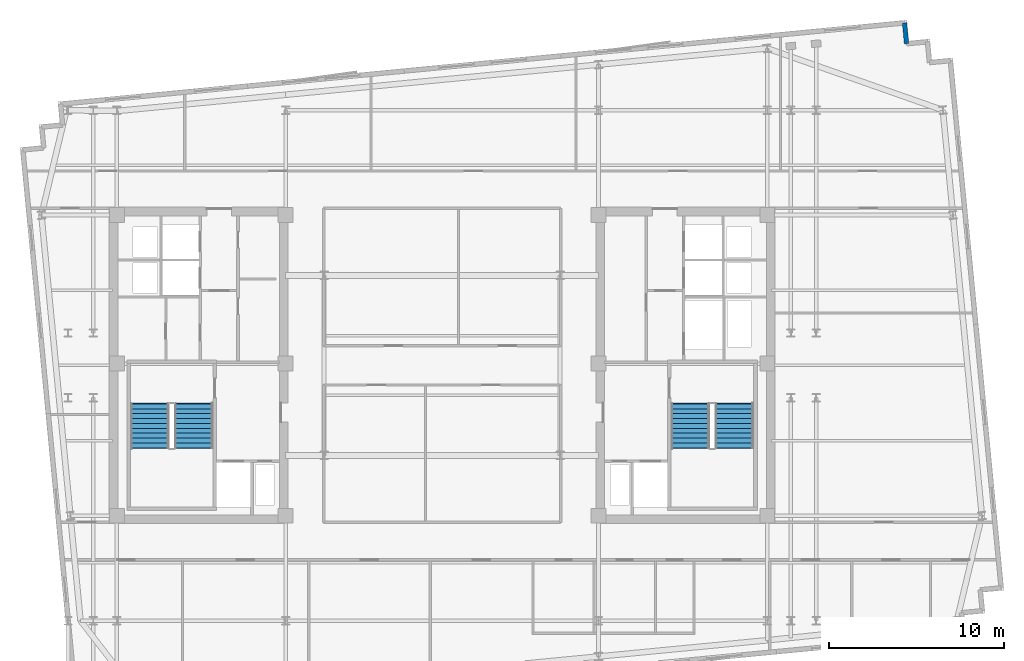
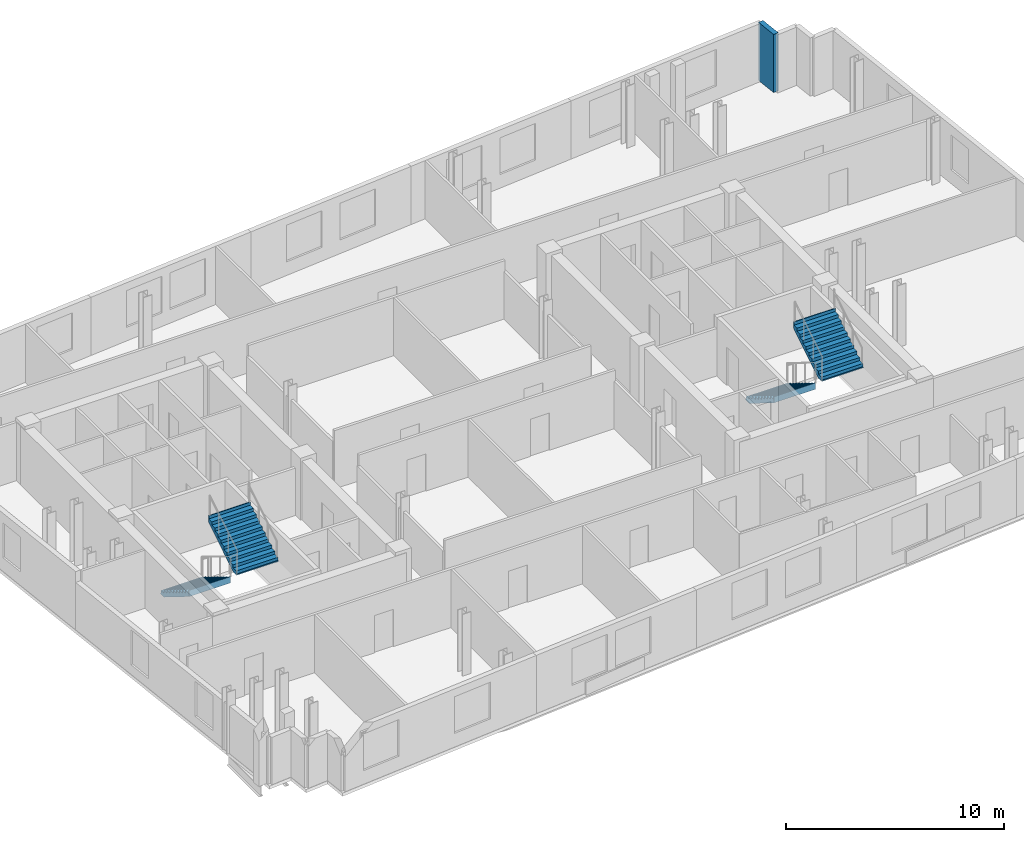
# One storey, part 7 of 9: 4 stair flights, 1 wall, 2 elements without a shape of their own.
"""IFC4 building model written with IfcOpenShell, lengths in metres."""

from ifc_helpers import new_model, si_unit, direction, frame, frame_2d, origin, place, context, subcontext, project, spatial, polyline, rectangle, outline, extrude, material, layer, layer_set, type_object, element, aggregate, save


model = new_model("IFC4")

# Units and contexts
model_context = context("Model", 3, precision=1e-05, world=origin(), true_north=direction((0.0, 1.0)))
body_context = subcontext(model_context, "Body", "Model", "MODEL_VIEW")
ifc_project = project(units=[si_unit("LENGTHUNIT", "METRE"), si_unit("AREAUNIT", "SQUARE_METRE"), si_unit("VOLUMEUNIT", "CUBIC_METRE"), si_unit("PLANEANGLEUNIT", "RADIAN"), si_unit("MASSUNIT", "GRAM", prefix="KILO")], contexts=[model_context])

# Site, building, storey
site_placement = place(None, origin())
site = spatial("IfcSite", under=ifc_project, at=site_placement, CompositionType="ELEMENT")
building_placement = place(site_placement, origin())
building = spatial("IfcBuilding", under=site, at=building_placement, Name="Velakula Bourse", CompositionType="ELEMENT")
storey_placement = place(building_placement, frame((0.0, 0.0, 265.5)))
storey = spatial("IfcBuildingStorey", under=building, at=storey_placement, Name="L72", CompositionType="ELEMENT", Elevation=265.5)

# Wall
ifc_material_1 = material(Name="Buff kilned clay facing brick masonry", Category="masonry")
ifc_layer_1 = layer(ifc_material_1, 0.260009765625, Name="Buff kilned clay facing brick masonry", Category="masonry")
ifc_layer_set_1 = layer_set([ifc_layer_1], Name="Buff kilned clay facing brick masonry")
wall_type = type_object("IfcWallType", Name="WL-EXT-BRK-260", PredefinedType="STANDARD", material=ifc_layer_set_1)
wall_placement = place(storey_placement, frame((26.5712890625, 18.39892578125, 0.0), z_axis=(0.0, 0.0, 1.0), x_axis=(-0.095817067274, 0.995398960025, 0.0)))
element("IfcWall", 1, at=wall_placement, inside=storey, type_object=wall_type, Name="L72 Serrated Corner Brick Wall NE-4", PredefinedType="STANDARD", context=body_context, shape_type="SweptSolid", body=[
    extrude(rectangle(XDim=1.2001953125, YDim=0.260009765625, at=frame_2d((0.60009765625, 0.0))), origin(), (0.0, 0.0, 1.0), 3.25),
])

# Stair, stair flights
ifc_material_2 = material(Name="Concrete M45 (fck 45 MPa)", Category="concrete")
stair_type = type_object("IfcStairType", Name="STR-DOG-390", PredefinedType="HALF_TURN_STAIR", material=ifc_material_2)
stair_1_placement = place(storey_placement, origin())
stair_1 = element("IfcStair", 2, at=stair_1_placement, inside=storey, type_object=stair_type, Name="L72 West Core Exit Stair ST-W1", PredefinedType="HALF_TURN_STAIR")
ifc_layer_2 = layer(ifc_material_2, 0.195068359375, Name="Concrete M45 (fck 45 MPa)", Category="concrete")
ifc_layer_set_2 = layer_set([ifc_layer_2], Name="Concrete M45 (fck 45 MPa)")
stair_flight_type = type_object("IfcStairFlightType", Name="FLT-DOG-390", PredefinedType="STRAIGHT", material=ifc_layer_set_2)
stair_flight_1_placement = place(storey_placement, frame((-16.720947265625, -2.199951171875, 0.0), z_axis=(0.0, 0.0, 1.0), x_axis=(0.0, -1.0, 0.0)))
stair_flight_1 = element("IfcStairFlight", 3, at=stair_flight_1_placement, type_object=stair_flight_type, Name="ST-W1 flight 1", NumberOfRisers=10, NumberOfTreads=9, PredefinedType="STRAIGHT", RiserHeight=0.1725, TreadLength=0.28, context=body_context, shape_type="SweptSolid", body=[
    extrude(outline(polyline([(-0.044921875, -0.0400390625), (-0.044921875, -0.036865234375), (-0.044921875, -0.033935546875), (-0.044921875, -0.03076171875), (-0.044921875, -0.027587890625), (-0.044921875, -0.024658203125), (-0.044921875, -0.021484375), (-0.044921875, -0.0185546875), (-0.044921875, -0.015380859375), (-0.044921875, -0.01220703125), (-0.044921875, -0.00927734375), (-0.044921875, -0.006103515625), (-0.044921875, -0.003173828125), (-0.044921875, 0.0), (0.0, 0.0), (0.0, 0.172607421875), (0.280029296875, 0.172607421875), (0.280029296875, 0.344970703125), (0.56005859375, 0.344970703125), (0.56005859375, 0.517578125), (0.840087890625, 0.517578125), (0.840087890625, 0.68994140625), (1.1201171875, 0.68994140625), (1.1201171875, 0.862548828125), (1.39990234375, 0.862548828125), (1.39990234375, 1.034912109375), (1.679931640625, 1.034912109375), (1.679931640625, 1.20751953125), (1.9599609375, 1.20751953125), (1.9599609375, 1.3798828125), (2.239990234375, 1.3798828125), (2.239990234375, 1.552490234375), (2.52001953125, 1.552490234375), (2.52001953125, 1.72509765625), (2.56494140625, 1.72509765625), (2.56494140625, 1.7001953125), (2.56494140625, 1.67529296875), (2.56494140625, 1.650390625), (2.56494140625, 1.62548828125), (2.56494140625, 1.6005859375), (2.56494140625, 1.57568359375), (2.56494140625, 1.55078125), (2.56494140625, 1.52587890625), (2.56494140625, 1.5009765625), (2.56494140625, 1.47607421875), (2.56494140625, 1.451171875), (2.56494140625, 1.42626953125), (2.56494140625, 1.4013671875), (2.56494140625, 1.37646484375), (0.285888671875, -0.0400390625), (-0.044921875, -0.0400390625)])), frame((0.0, 1.09912109375, 0.0), z_axis=(0.0, -1.0, 0.0), x_axis=(1.0, 0.0, 0.0)), (0.0, 0.0, 1.0), 2.197998046875),
])
stair_flight_2_placement = place(storey_placement, frame((-14.198974609375, -4.719970703125, 1.72509765625), z_axis=(0.0, 0.0, 1.0), x_axis=(0.0, 1.0, 0.0)))
stair_flight_2 = element("IfcStairFlight", 4, at=stair_flight_2_placement, type_object=stair_flight_type, Name="ST-W1 flight 2", NumberOfRisers=10, NumberOfTreads=9, PredefinedType="STRAIGHT", RiserHeight=0.1725, TreadLength=0.28, context=body_context, shape_type="SweptSolid", body=[
    extrude(outline(polyline([(-0.044921875, -0.0400390625), (-0.044921875, -0.036865234375), (-0.044921875, -0.033935546875), (-0.044921875, -0.03076171875), (-0.044921875, -0.027587890625), (-0.044921875, -0.024658203125), (-0.044921875, -0.021484375), (-0.044921875, -0.0185546875), (-0.044921875, -0.015380859375), (-0.044921875, -0.01220703125), (-0.044921875, -0.00927734375), (-0.044921875, -0.006103515625), (-0.044921875, -0.003173828125), (-0.044921875, 0.0), (0.0, 0.0), (0.0, 0.172607421875), (0.280029296875, 0.172607421875), (0.280029296875, 0.344970703125), (0.56005859375, 0.344970703125), (0.56005859375, 0.517578125), (0.840087890625, 0.517578125), (0.840087890625, 0.68994140625), (1.1201171875, 0.68994140625), (1.1201171875, 0.862548828125), (1.39990234375, 0.862548828125), (1.39990234375, 1.034912109375), (1.679931640625, 1.034912109375), (1.679931640625, 1.20751953125), (1.9599609375, 1.20751953125), (1.9599609375, 1.3798828125), (2.239990234375, 1.3798828125), (2.239990234375, 1.552490234375), (2.52001953125, 1.552490234375), (2.52001953125, 1.72509765625), (2.56494140625, 1.72509765625), (2.56494140625, 1.7001953125), (2.56494140625, 1.67529296875), (2.56494140625, 1.650390625), (2.56494140625, 1.62548828125), (2.56494140625, 1.6005859375), (2.56494140625, 1.57568359375), (2.56494140625, 1.55078125), (2.56494140625, 1.52587890625), (2.56494140625, 1.5009765625), (2.56494140625, 1.47607421875), (2.56494140625, 1.451171875), (2.56494140625, 1.42626953125), (2.56494140625, 1.4013671875), (2.56494140625, 1.37646484375), (0.285888671875, -0.0400390625), (-0.044921875, -0.0400390625)])), frame((0.0, 1.09912109375, 0.0), z_axis=(0.0, -1.0, 0.0), x_axis=(1.0, 0.0, 0.0)), (0.0, 0.0, 1.0), 2.197998046875),
])
aggregate(stair_1, [stair_flight_1, stair_flight_2])

stair_2_placement = place(storey_placement, origin())
stair_2 = element("IfcStair", 5, at=stair_2_placement, inside=storey, type_object=stair_type, Name="L72 East Core Exit Stair ST-E1", PredefinedType="HALF_TURN_STAIR")
stair_flight_3_placement = place(storey_placement, frame((14.198974609375, -2.199951171875, 0.0), z_axis=(0.0, 0.0, 1.0), x_axis=(0.0, -1.0, 0.0)))
stair_flight_3 = element("IfcStairFlight", 6, at=stair_flight_3_placement, type_object=stair_flight_type, Name="ST-E1 flight 1", NumberOfRisers=10, NumberOfTreads=9, PredefinedType="STRAIGHT", RiserHeight=0.1725, TreadLength=0.28, context=body_context, shape_type="SweptSolid", body=[
    extrude(outline(polyline([(-0.044921875, -0.0400390625), (-0.044921875, -0.036865234375), (-0.044921875, -0.033935546875), (-0.044921875, -0.03076171875), (-0.044921875, -0.027587890625), (-0.044921875, -0.024658203125), (-0.044921875, -0.021484375), (-0.044921875, -0.0185546875), (-0.044921875, -0.015380859375), (-0.044921875, -0.01220703125), (-0.044921875, -0.00927734375), (-0.044921875, -0.006103515625), (-0.044921875, -0.003173828125), (-0.044921875, 0.0), (0.0, 0.0), (0.0, 0.172607421875), (0.280029296875, 0.172607421875), (0.280029296875, 0.344970703125), (0.56005859375, 0.344970703125), (0.56005859375, 0.517578125), (0.840087890625, 0.517578125), (0.840087890625, 0.68994140625), (1.1201171875, 0.68994140625), (1.1201171875, 0.862548828125), (1.39990234375, 0.862548828125), (1.39990234375, 1.034912109375), (1.679931640625, 1.034912109375), (1.679931640625, 1.20751953125), (1.9599609375, 1.20751953125), (1.9599609375, 1.3798828125), (2.239990234375, 1.3798828125), (2.239990234375, 1.552490234375), (2.52001953125, 1.552490234375), (2.52001953125, 1.72509765625), (2.56494140625, 1.72509765625), (2.56494140625, 1.7001953125), (2.56494140625, 1.67529296875), (2.56494140625, 1.650390625), (2.56494140625, 1.62548828125), (2.56494140625, 1.6005859375), (2.56494140625, 1.57568359375), (2.56494140625, 1.55078125), (2.56494140625, 1.52587890625), (2.56494140625, 1.5009765625), (2.56494140625, 1.47607421875), (2.56494140625, 1.451171875), (2.56494140625, 1.42626953125), (2.56494140625, 1.4013671875), (2.56494140625, 1.37646484375), (0.285888671875, -0.0400390625), (-0.044921875, -0.0400390625)])), frame((0.0, 1.09912109375, 0.0), z_axis=(0.0, -1.0, 0.0), x_axis=(1.0, 0.0, 0.0)), (0.0, 0.0, 1.0), 2.197998046875),
])
stair_flight_4_placement = place(storey_placement, frame((16.720947265625, -4.719970703125, 1.72509765625), z_axis=(0.0, 0.0, 1.0), x_axis=(0.0, 1.0, 0.0)))
stair_flight_4 = element("IfcStairFlight", 7, at=stair_flight_4_placement, type_object=stair_flight_type, Name="ST-E1 flight 2", NumberOfRisers=10, NumberOfTreads=9, PredefinedType="STRAIGHT", RiserHeight=0.1725, TreadLength=0.28, context=body_context, shape_type="SweptSolid", body=[
    extrude(outline(polyline([(-0.044921875, -0.0400390625), (-0.044921875, -0.036865234375), (-0.044921875, -0.033935546875), (-0.044921875, -0.03076171875), (-0.044921875, -0.027587890625), (-0.044921875, -0.024658203125), (-0.044921875, -0.021484375), (-0.044921875, -0.0185546875), (-0.044921875, -0.015380859375), (-0.044921875, -0.01220703125), (-0.044921875, -0.00927734375), (-0.044921875, -0.006103515625), (-0.044921875, -0.003173828125), (-0.044921875, 0.0), (0.0, 0.0), (0.0, 0.172607421875), (0.280029296875, 0.172607421875), (0.280029296875, 0.344970703125), (0.56005859375, 0.344970703125), (0.56005859375, 0.517578125), (0.840087890625, 0.517578125), (0.840087890625, 0.68994140625), (1.1201171875, 0.68994140625), (1.1201171875, 0.862548828125), (1.39990234375, 0.862548828125), (1.39990234375, 1.034912109375), (1.679931640625, 1.034912109375), (1.679931640625, 1.20751953125), (1.9599609375, 1.20751953125), (1.9599609375, 1.3798828125), (2.239990234375, 1.3798828125), (2.239990234375, 1.552490234375), (2.52001953125, 1.552490234375), (2.52001953125, 1.72509765625), (2.56494140625, 1.72509765625), (2.56494140625, 1.7001953125), (2.56494140625, 1.67529296875), (2.56494140625, 1.650390625), (2.56494140625, 1.62548828125), (2.56494140625, 1.6005859375), (2.56494140625, 1.57568359375), (2.56494140625, 1.55078125), (2.56494140625, 1.52587890625), (2.56494140625, 1.5009765625), (2.56494140625, 1.47607421875), (2.56494140625, 1.451171875), (2.56494140625, 1.42626953125), (2.56494140625, 1.4013671875), (2.56494140625, 1.37646484375), (0.285888671875, -0.0400390625), (-0.044921875, -0.0400390625)])), frame((0.0, 1.09912109375, 0.0), z_axis=(0.0, -1.0, 0.0), x_axis=(1.0, 0.0, 0.0)), (0.0, 0.0, 1.0), 2.197998046875),
])
aggregate(stair_2, [stair_flight_3, stair_flight_4])

save(model, "model.ifc")
